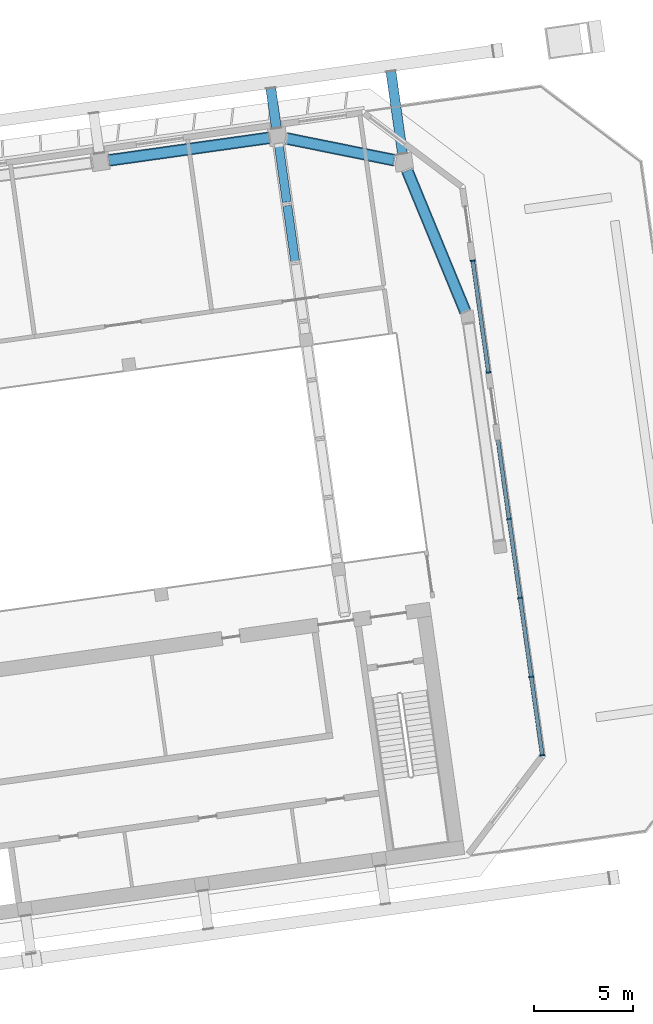
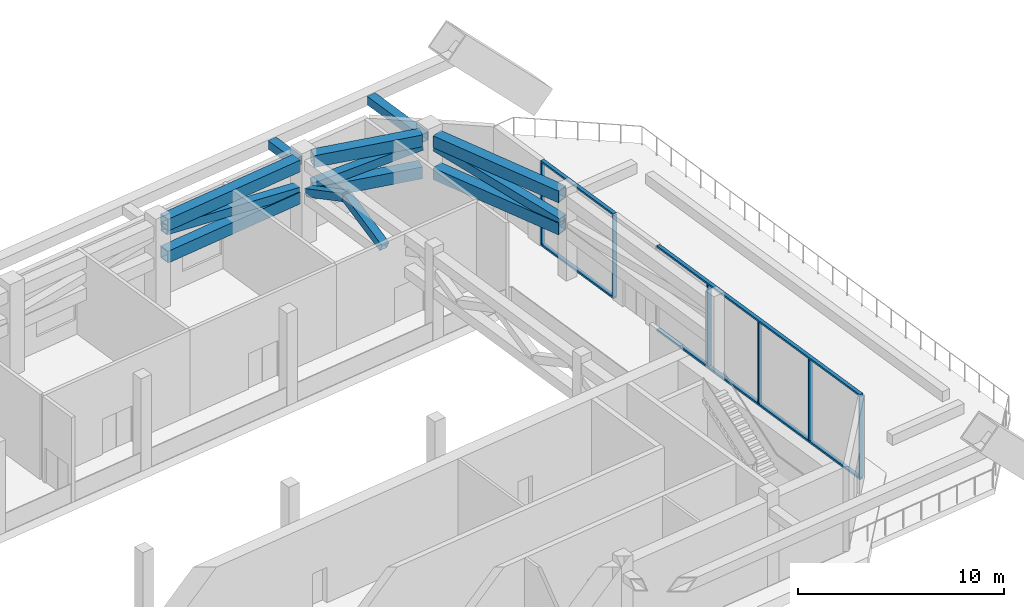
# One storey, part 18 of 41: 23 members, 2 elements without a shape of their own.
"""IFC4 building model written with IfcOpenShell, lengths in metres."""

from ifc_helpers import new_model, si_unit, direction, frame, origin, origin_2d, place, context, subcontext, project, spatial, rectangle, hollow_rectangle, extrude, material, material_profile, profile_set, type_object, element, aggregate, save


model = new_model("IFC4")

# Units and contexts
model_context = context("Model", 3, precision=1e-05, world=origin(), true_north=direction((0.0, 1.0)))
body_context = subcontext(model_context, "Body", "Model", "MODEL_VIEW")
ifc_project = project(units=[si_unit("LENGTHUNIT", "METRE"), si_unit("AREAUNIT", "SQUARE_METRE"), si_unit("VOLUMEUNIT", "CUBIC_METRE"), si_unit("PLANEANGLEUNIT", "RADIAN"), si_unit("MASSUNIT", "GRAM", prefix="KILO")], contexts=[model_context])

# Site, building, storey
site_placement = place(None, origin())
site = spatial("IfcSite", under=ifc_project, at=site_placement, CompositionType="ELEMENT")
building_placement = place(site_placement, origin())
building = spatial("IfcBuilding", under=site, at=building_placement, Name="Mirante Cascada Hotel Towers", CompositionType="ELEMENT")
storey_placement = place(building_placement, frame((0.0, 0.0, 151.9)))
storey = spatial("IfcBuildingStorey", under=building, at=storey_placement, Name="L35", CompositionType="ELEMENT", Elevation=151.9)

# Members
ifc_material_1 = material(Name="Steel ASTM A572 Gr 50", Category="steel")
ifc_material_profile_1 = material_profile(ifc_material_1, hollow_rectangle(XDim=0.6, YDim=0.7, WallThickness=0.05, at=origin_2d()), Name="Box chord 700x600x50 ASTM A572 Gr 50")
ifc_profile_set_1 = profile_set([ifc_material_profile_1], Name="Steel ASTM A572 Gr 50")
member_type_1 = type_object("IfcMemberType", Name="Box chord 700x600x50 ASTM A572 Gr 50", PredefinedType="CHORD", material=ifc_profile_set_1)
for number, where, z_axis, x_axis, name in (
    (1, (72.448, 22.395, 4.7), (0.9902676, 0.1391765, 0.0), (-0.1391765, 0.9902676, 0.0), "belt T2 L35 16"),
    (2, (72.448, 22.395, 2.8), (0.9902676, 0.1391765, 0.0), (-0.1391765, 0.9902676, 0.0), "belt T2 L35 17"),
):
    element("IfcMember", number, at=place(storey_placement, frame(where, z_axis=z_axis, x_axis=x_axis)), inside=storey, type_object=member_type_1, Name=name, PredefinedType="CHORD", context=body_context, shape_type="SweptSolid", body=[
        extrude(hollow_rectangle(XDim=0.6, YDim=0.7, WallThickness=0.05, at=origin_2d()), origin(), (0.0, 0.0, 1.0), 8.14),
    ])
for number, where, z_axis, x_axis, name in (
    (3, (81.3827, 23.4973, 4.7), (0.9802161, -0.1979303, 0.0), (0.1979303, 0.9802161, 0.0), "belt T2 L35 19"),
    (4, (81.3827, 23.4973, 2.8), (0.9802161, -0.1979303, 0.0), (0.1979303, 0.9802161, 0.0), "belt T2 L35 20"),
):
    element("IfcMember", number, at=place(storey_placement, frame(where, z_axis=z_axis, x_axis=x_axis)), inside=storey, type_object=member_type_1, Name=name, PredefinedType="CHORD", context=body_context, shape_type="SweptSolid", body=[
        extrude(hollow_rectangle(XDim=0.6, YDim=0.7, WallThickness=0.05, at=origin_2d()), origin(), (0.0, 0.0, 1.0), 5.5535),
    ])
for number, where, z_axis, x_axis, name in (
    (5, (87.4439, 21.8966, 4.7), (0.3811735, -0.9245035, 0.0), (0.9245035, 0.3811735, 0.0), "belt T2 L35 22"),
    (6, (87.4439, 21.8966, 2.8), (0.3811735, -0.9245035, 0.0), (0.9245035, 0.3811735, 0.0), "belt T2 L35 23"),
):
    element("IfcMember", number, at=place(storey_placement, frame(where, z_axis=z_axis, x_axis=x_axis)), inside=storey, type_object=member_type_1, Name=name, PredefinedType="CHORD", context=body_context, shape_type="SweptSolid", body=[
        extrude(hollow_rectangle(XDim=0.6, YDim=0.7, WallThickness=0.05, at=origin_2d()), origin(), (0.0, 0.0, 1.0), 7.6802),
    ])
ifc_material_2 = material(Name="Steel ASTM A572 Gr 50", Category="steel")
ifc_material_profile_2 = material_profile(ifc_material_2, hollow_rectangle(XDim=0.45, YDim=0.45, WallThickness=0.03, at=origin_2d()), Name="Box diagonal 450x450x30 ASTM A572 Gr 50")
ifc_profile_set_2 = profile_set([ifc_material_profile_2], Name="Steel ASTM A572 Gr 50")
member_type_2 = type_object("IfcMemberType", Name="Box diagonal 450x450x30 ASTM A572 Gr 50", PredefinedType="BRACE", material=ifc_profile_set_2)
for number, where, z_axis, x_axis, name in (
    (7, (81.8242, 17.2575, 3.1), (-0.1267787, 0.9020871, 0.4125119), (-0.9902683, -0.1391716, 0.0), "outrigger T2 L35 19"),
    (8, (81.4093, 20.2097, 4.45), (-0.1267787, 0.9020871, -0.4125119), (-0.9902683, -0.1391716, 0.0), "outrigger T2 L35 20"),
):
    element("IfcMember", number, at=place(storey_placement, frame(where, z_axis=z_axis, x_axis=x_axis)), inside=storey, type_object=member_type_2, Name=name, PredefinedType="BRACE", context=body_context, shape_type="SweptSolid", body=[
        extrude(hollow_rectangle(XDim=0.45, YDim=0.45, WallThickness=0.03, at=origin_2d()), origin(), (0.0, 0.0, 1.0), 3.2726),
    ])
ifc_material_3 = material(Name="Steel ASTM A572 Gr 50", Category="steel")
ifc_material_profile_3 = material_profile(ifc_material_3, hollow_rectangle(XDim=0.5, YDim=0.5, WallThickness=0.035, at=origin_2d()), Name="Box diagonal 500x500x35 ASTM A572 Gr 50")
ifc_profile_set_3 = profile_set([ifc_material_profile_3], Name="Steel ASTM A572 Gr 50")
member_type_3 = type_object("IfcMemberType", Name="Box diagonal 500x500x35 ASTM A572 Gr 50", PredefinedType="BRACE", material=ifc_profile_set_3)
member_1_placement = place(storey_placement, frame((72.448, 22.395, 4.35), z_axis=(0.9796793, 0.1376884, -0.1458435), x_axis=(-0.1391765, 0.9902676, 0.0)))
element("IfcMember", 9, at=member_1_placement, inside=storey, type_object=member_type_3, Name="belt T2 L35 18", PredefinedType="BRACE", context=body_context, shape_type="SweptSolid", body=[
    extrude(hollow_rectangle(XDim=0.5, YDim=0.5, WallThickness=0.035, at=origin_2d()), origin(), (0.0, 0.0, 1.0), 8.228),
])
member_2_placement = place(storey_placement, frame((81.3827, 23.4973, 3.15), z_axis=(0.9581038, -0.1934653, 0.2112067), x_axis=(0.1979303, 0.9802161, 0.0)))
element("IfcMember", 10, at=member_2_placement, inside=storey, type_object=member_type_3, Name="belt T2 L35 21", PredefinedType="BRACE", context=body_context, shape_type="SweptSolid", body=[
    extrude(hollow_rectangle(XDim=0.5, YDim=0.5, WallThickness=0.035, at=origin_2d()), origin(), (0.0, 0.0, 1.0), 5.6816),
])
member_3_placement = place(storey_placement, frame((87.4439, 21.8966, 4.35), z_axis=(0.3766042, -0.9134213, -0.1543724), x_axis=(0.9245035, 0.3811735, 0.0)))
element("IfcMember", 11, at=member_3_placement, inside=storey, type_object=member_type_3, Name="belt T2 L35 24", PredefinedType="BRACE", context=body_context, shape_type="SweptSolid", body=[
    extrude(hollow_rectangle(XDim=0.5, YDim=0.5, WallThickness=0.035, at=origin_2d()), origin(), (0.0, 0.0, 1.0), 7.7734),
])
ifc_material_4 = material(Name="Steel ASTM A572 Gr 50", Category="steel")
ifc_material_profile_4 = material_profile(ifc_material_4, hollow_rectangle(XDim=0.5, YDim=0.5, WallThickness=0.035, at=origin_2d()), Name="Box tie 500x500x35 ASTM A572 Gr 50")
ifc_profile_set_4 = profile_set([ifc_material_profile_4], Name="Steel ASTM A572 Gr 50")
member_type_4 = type_object("IfcMemberType", Name="Box tie 500x500x35 ASTM A572 Gr 50", PredefinedType="STRUT", material=ifc_profile_set_4)
member_4_placement = place(storey_placement, frame((80.8747, 24.0136, 4.35), z_axis=(-0.13917, 0.9902685, 0.0), x_axis=(-0.9902685, -0.13917, 0.0)))
element("IfcMember", 12, at=member_4_placement, inside=storey, type_object=member_type_4, Name="tie T2 L35 11", PredefinedType="STRUT", context=body_context, shape_type="SweptSolid", body=[
    extrude(hollow_rectangle(XDim=0.5, YDim=0.5, WallThickness=0.035, at=origin_2d()), origin(), (0.0, 0.0, 1.0), 2.04),
])
member_5_placement = place(storey_placement, frame((87.2146, 22.7334, 4.35), z_axis=(-0.1391857, 0.9902663, 0.0), x_axis=(-0.9902663, -0.1391857, 0.0)))
element("IfcMember", 13, at=member_5_placement, inside=storey, type_object=member_type_4, Name="tie T2 L35 13", PredefinedType="STRUT", context=body_context, shape_type="SweptSolid", body=[
    extrude(hollow_rectangle(XDim=0.5, YDim=0.5, WallThickness=0.035, at=origin_2d()), origin(), (0.0, 0.0, 1.0), 4.1901),
])

# Curtain wall, members
ifc_material_5 = material(Name="Aluminium mullion and transom frame with clear laminated glass", Category="aluminium")
curtain_wall_type = type_object("IfcCurtainWallType", Name="Sky garden curtain wall ECW4", PredefinedType="NOTDEFINED", material=ifc_material_5)
curtain_wall_1_placement = place(storey_placement, origin())
curtain_wall_1 = element("IfcCurtainWall", 14, at=curtain_wall_1_placement, inside=storey, type_object=curtain_wall_type, Name="Sky garden wall T2 L35 run 1", PredefinedType="NOTDEFINED")
ifc_material_6 = material(Name="Anodised aluminium extrusion", Category="aluminium")
ifc_material_profile_5 = material_profile(ifc_material_6, rectangle(XDim=0.24, YDim=0.075, at=origin_2d()), Name="ECW4 MULLION 75x240")
ifc_profile_set_5 = profile_set([ifc_material_profile_5], Name="Anodised aluminium extrusion")
member_type_5 = type_object("IfcMemberType", Name="ECW4 mullion 75x240", PredefinedType="MULLION", material=ifc_profile_set_5)
member_6_placement = place(storey_placement, frame((94.2425, -7.5132, 0.11), z_axis=(0.0, 0.0, 1.0), x_axis=(-0.9902681, -0.1391731, 0.0)))
member_6 = element("IfcMember", 15, at=member_6_placement, type_object=member_type_5, Name="ECW4 mullion 1", PredefinedType="MULLION", context=body_context, shape_type="SweptSolid", body=[
    extrude(rectangle(XDim=0.24, YDim=0.075, at=origin_2d()), origin(), (0.0, 0.0, 1.0), 4.83),
])
member_7_placement = place(storey_placement, frame((93.6897, -3.5799, 0.11), z_axis=(0.0, 0.0, 1.0), x_axis=(-0.9902681, -0.1391731, 0.0)))
member_7 = element("IfcMember", 16, at=member_7_placement, type_object=member_type_5, Name="ECW4 mullion 2", PredefinedType="MULLION", context=body_context, shape_type="SweptSolid", body=[
    extrude(rectangle(XDim=0.24, YDim=0.075, at=origin_2d()), origin(), (0.0, 0.0, 1.0), 4.83),
])
member_8_placement = place(storey_placement, frame((93.1317, 0.3906, 0.11), z_axis=(0.0, 0.0, 1.0), x_axis=(-0.9902681, -0.1391731, 0.0)))
member_8 = element("IfcMember", 17, at=member_8_placement, type_object=member_type_5, Name="ECW4 mullion 3", PredefinedType="MULLION", context=body_context, shape_type="SweptSolid", body=[
    extrude(rectangle(XDim=0.24, YDim=0.075, at=origin_2d()), origin(), (0.0, 0.0, 1.0), 4.83),
])
member_9_placement = place(storey_placement, frame((92.5737, 4.361, 0.11), z_axis=(0.0, 0.0, 1.0), x_axis=(-0.9902681, -0.1391731, 0.0)))
member_9 = element("IfcMember", 18, at=member_9_placement, type_object=member_type_5, Name="ECW4 mullion 4", PredefinedType="MULLION", context=body_context, shape_type="SweptSolid", body=[
    extrude(rectangle(XDim=0.24, YDim=0.075, at=origin_2d()), origin(), (0.0, 0.0, 1.0), 4.83),
])

curtain_wall_2_placement = place(storey_placement, origin())
curtain_wall_2 = element("IfcCurtainWall", 19, at=curtain_wall_2_placement, inside=storey, type_object=curtain_wall_type, Name="Sky garden wall T2 L35 run 3", PredefinedType="NOTDEFINED")
member_10_placement = place(storey_placement, frame((91.5373, 11.7355, 0.11), z_axis=(0.0, 0.0, 1.0), x_axis=(-0.9902681, -0.1391731, 0.0)))
member_10 = element("IfcMember", 20, at=member_10_placement, type_object=member_type_5, Name="ECW4 mullion 1", PredefinedType="MULLION", context=body_context, shape_type="SweptSolid", body=[
    extrude(rectangle(XDim=0.24, YDim=0.075, at=origin_2d()), origin(), (0.0, 0.0, 1.0), 4.83),
])
member_11_placement = place(storey_placement, frame((90.7491, 17.3433, 0.11), z_axis=(0.0, 0.0, 1.0), x_axis=(-0.9902681, -0.1391731, 0.0)))
member_11 = element("IfcMember", 21, at=member_11_placement, type_object=member_type_5, Name="ECW4 mullion 2", PredefinedType="MULLION", context=body_context, shape_type="SweptSolid", body=[
    extrude(rectangle(XDim=0.24, YDim=0.075, at=origin_2d()), origin(), (0.0, 0.0, 1.0), 4.83),
])

# Member
ifc_material_7 = material(Name="Anodised aluminium extrusion", Category="aluminium")
ifc_material_profile_6 = material_profile(ifc_material_7, rectangle(XDim=0.2, YDim=0.11, at=origin_2d()), Name="ECW4 TRANSOM 110x200")
ifc_profile_set_6 = profile_set([ifc_material_profile_6], Name="Anodised aluminium extrusion")
member_type_6 = type_object("IfcMemberType", Name="ECW4 transom 110x200", PredefinedType="USERDEFINED", material=ifc_profile_set_6)
member_12_placement = place(storey_placement, frame((94.2477, -7.5503, 0.055), z_axis=(-0.1391706, 0.9902684, 0.0), x_axis=(-0.9902684, -0.1391706, 0.0)))
member_12 = element("IfcMember", 22, at=member_12_placement, type_object=member_type_6, Name="ECW4 sill transom", ObjectType="TRANSOM", PredefinedType="USERDEFINED", context=body_context, shape_type="SweptSolid", body=[
    extrude(rectangle(XDim=0.2, YDim=0.11, at=origin_2d()), origin(), (0.0, 0.0, 1.0), 16.0379),
])

member_13_placement = place(storey_placement, frame((94.2477, -7.5503, 4.995), z_axis=(-0.1391706, 0.9902684, 0.0), x_axis=(-0.9902684, -0.1391706, 0.0)))
member_13 = element("IfcMember", 23, at=member_13_placement, type_object=member_type_6, Name="ECW4 head transom", ObjectType="TRANSOM", PredefinedType="USERDEFINED", context=body_context, shape_type="SweptSolid", body=[
    extrude(rectangle(XDim=0.2, YDim=0.11, at=origin_2d()), origin(), (0.0, 0.0, 1.0), 16.0379),
])

aggregate(curtain_wall_1, [member_12, member_13, member_6, member_7, member_8, member_9])

member_14_placement = place(storey_placement, frame((91.5425, 11.6984, 0.055), z_axis=(-0.1391811, 0.9902669, 0.0), x_axis=(-0.9902669, -0.1391811, 0.0)))
member_14 = element("IfcMember", 24, at=member_14_placement, type_object=member_type_6, Name="ECW4 sill transom", ObjectType="TRANSOM", PredefinedType="USERDEFINED", context=body_context, shape_type="SweptSolid", body=[
    extrude(rectangle(XDim=0.2, YDim=0.11, at=origin_2d()), origin(), (0.0, 0.0, 1.0), 5.7378),
])

member_15_placement = place(storey_placement, frame((91.5425, 11.6984, 4.995), z_axis=(-0.1391811, 0.9902669, 0.0), x_axis=(-0.9902669, -0.1391811, 0.0)))
member_15 = element("IfcMember", 25, at=member_15_placement, type_object=member_type_6, Name="ECW4 head transom", ObjectType="TRANSOM", PredefinedType="USERDEFINED", context=body_context, shape_type="SweptSolid", body=[
    extrude(rectangle(XDim=0.2, YDim=0.11, at=origin_2d()), origin(), (0.0, 0.0, 1.0), 5.7378),
])

aggregate(curtain_wall_2, [member_14, member_15, member_10, member_11])

save(model, "model.ifc")
